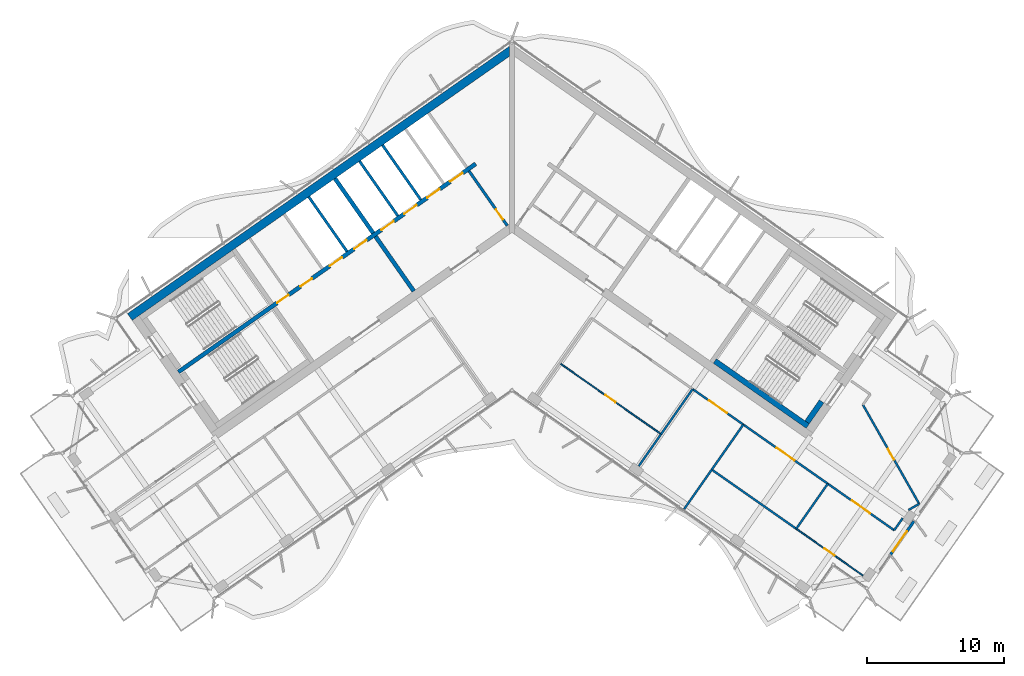
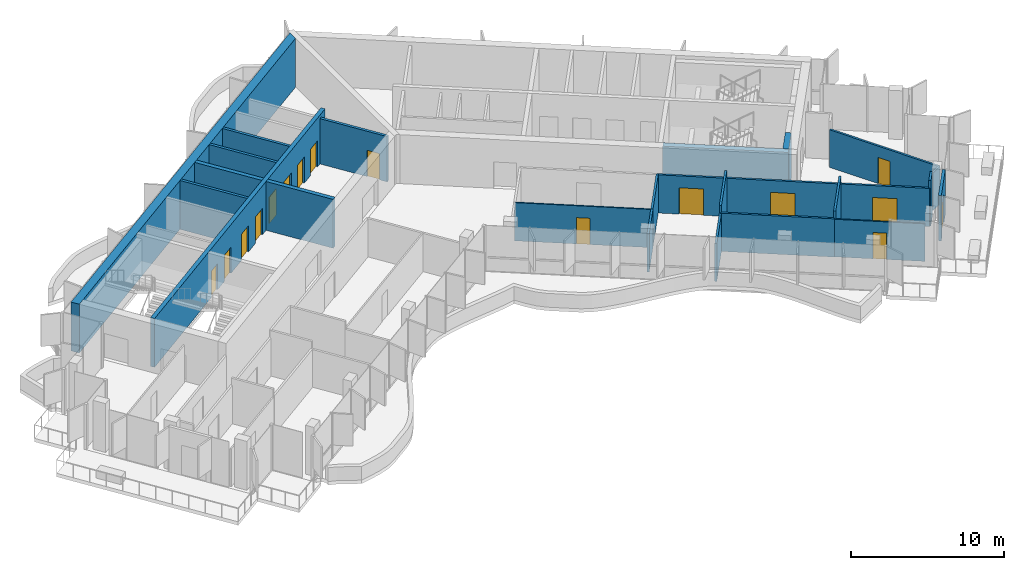
# One storey, part 12 of 21: 25 walls, 16 doors, 16 openings.
"""IFC4 building model written with IfcOpenShell, lengths in metres."""

from ifc_helpers import new_model, si_unit, direction, frame, frame_2d, origin, place, context, subcontext, project, spatial, polyline, rectangle, outline, extrude, material, layer, layer_set, type_object, element, fill, save


model = new_model("IFC4")

# Units and contexts
model_context = context("Model", 3, precision=1e-05, world=origin(), true_north=direction((0.0, 1.0)))
body_context = subcontext(model_context, "Body", "Model", "MODEL_VIEW")
ifc_project = project(units=[si_unit("LENGTHUNIT", "METRE"), si_unit("AREAUNIT", "SQUARE_METRE"), si_unit("VOLUMEUNIT", "CUBIC_METRE"), si_unit("PLANEANGLEUNIT", "RADIAN"), si_unit("MASSUNIT", "GRAM", prefix="KILO")], contexts=[model_context])

# Site, building, storey
site_placement = place(None, origin())
site = spatial("IfcSite", under=ifc_project, at=site_placement, CompositionType="ELEMENT")
building_placement = place(site_placement, origin())
building = spatial("IfcBuilding", under=site, at=building_placement, Name="Tel Ilan Convention Tower", CompositionType="ELEMENT")
storey_placement = place(building_placement, frame((0.0, 0.0, 225.39990234375)))
storey = spatial("IfcBuildingStorey", under=building, at=storey_placement, Name="L52", CompositionType="ELEMENT", Elevation=225.39990234375)

# Wall, opening, door
ifc_material_1 = material(Name="Concrete C30/37", Category="concrete")
ifc_layer_1 = layer(ifc_material_1, 0.199951171875)
ifc_layer_set_1 = layer_set([ifc_layer_1], Name="Core Service Room Wall 200 mm C30/37")
wall_type_1 = type_object("IfcWallType", Name="Core Service Room Wall 200 mm C30/37", PredefinedType="SOLIDWALL", material=ifc_layer_set_1)
wall_1_placement = place(storey_placement, frame((-0.343994140625, -0.729248046875, 0.0), z_axis=(0.0, 0.0, 1.0), x_axis=(-0.573560315113, 0.819163332265, 0.0)))
wall_1 = element("IfcWall", 1, at=wall_1_placement, inside=storey, type_object=wall_type_1, Name="L52 core wall apex-W", PredefinedType="SOLIDWALL", context=body_context, shape_type="SweptSolid", body=[
    extrude(rectangle(XDim=4.849853515625, YDim=0.199951171875, at=frame_2d((2.4248046875, 0.0))), origin(), (0.0, 0.0, 1.0), 3.6201171875),
])
opening_1_placement = place(wall_1_placement, frame((0.550048828125, 0.0, 0.0)))
opening_1 = element("IfcOpeningElement", 2, at=opening_1_placement, cuts=wall_1, Name="Opening CD4102", PredefinedType="OPENING", context=body_context, shape_type="SweptSolid", body=[
    extrude(rectangle(XDim=0.89990234375, YDim=2.10009765625, at=frame_2d((0.449951171875, 1.050048828125))), frame((0.0, 0.10986328125, 0.0), z_axis=(0.0, -1.0, 0.0), x_axis=(1.0, 0.0, 0.0)), (0.0, 0.0, 1.0), 0.219970703125),
])
ifc_material_2 = material(Name="Galvanised Steel Door Leaf", Category="steel")
door_type_1 = type_object("IfcDoorType", Name="Service Room Door 900 x 2100 FD60", OperationType="NOTDEFINED", PredefinedType="DOOR", material=ifc_material_2)
door_1_placement = place(opening_1_placement, origin())
door_1 = element("IfcDoor", 3, at=door_1_placement, inside=storey, type_object=door_type_1, Name="Riser Room door", OperationType="SINGLE_SWING_RIGHT", OverallHeight=2.10009765625, OverallWidth=0.89990234375, PredefinedType="DOOR", context=body_context, shape_type="SweptSolid", body=[
    extrude(rectangle(XDim=0.89990234375, YDim=2.10009765625, at=frame_2d((0.449951171875, 1.050048828125))), frame((0.0, 0.02490234375, 0.0), z_axis=(0.0, -1.0, 0.0), x_axis=(1.0, 0.0, 0.0)), (0.0, 0.0, 1.0), 0.050048828125),
])
fill(opening_1, door_1)

# Walls
ifc_material_3 = material(Name="Concrete C40/50", Category="concrete")
ifc_layer_2 = layer(ifc_material_3, 0.300048828125)
ifc_layer_set_2 = layer_set([ifc_layer_2], Name="Core Shear Wall 300 mm C40/50")
wall_type_2 = type_object("IfcWallType", Name="Core Shear Wall 300 mm C40/50", PredefinedType="SHEAR", material=ifc_layer_set_2)
wall_2_placement = place(storey_placement, frame((-7.142822265625, -5.48974609375, 0.0), z_axis=(0.0, 0.0, 1.0), x_axis=(-0.573617744349, 0.819123118565, 0.0)))
element("IfcWall", 4, at=wall_2_placement, inside=storey, type_object=wall_type_2, Name="L52 core wall W-cross1-1", PredefinedType="SHEAR", context=body_context, shape_type="SweptSolid", body=[
    extrude(outline(polyline([(4.85009765625, 0.14990234375), (0.0, 0.150146484375), (0.0, -0.14990234375), (4.85009765625, -0.150146484375), (4.85009765625, 0.14990234375)])), origin(), (0.0, 0.0, 1.0), 3.900146484375),
])
wall_3_placement = place(storey_placement, frame((-10.096923828125, -1.271240234375, 0.0), z_axis=(0.0, 0.0, 1.0), x_axis=(-0.573560315113, 0.819163332265, 0.0)))
element("IfcWall", 5, at=wall_3_placement, inside=storey, type_object=wall_type_2, Name="L52 core wall W-cross1-2", PredefinedType="SHEAR", context=body_context, shape_type="SweptSolid", body=[
    extrude(outline(polyline([(4.849853515625, -0.14990234375), (4.849853515625, 0.150146484375), (0.0, 0.14990234375), (0.0, -0.150146484375), (4.849853515625, -0.14990234375)])), origin(), (0.0, 0.0, 1.0), 3.900146484375),
])

# Wall, openings, doors
wall_4_placement = place(storey_placement, frame((-2.638427734375, 3.76806640625, 0.0), z_axis=(0.0, 0.0, 1.0), x_axis=(-0.819155014212, -0.573572194837, 0.0)))
wall_4 = element("IfcWall", 6, at=wall_4_placement, inside=storey, type_object=wall_type_2, Name="L52 core wall W-spine", PredefinedType="SHEAR", context=body_context, shape_type="SweptSolid", body=[
    extrude(outline(polyline([(26.39990234375, 0.150146484375), (0.0, 0.14990234375), (0.0, -0.150146484375), (26.39990234375, -0.14990234375), (26.39990234375, 0.150146484375)])), origin(), (0.0, 0.0, 1.0), 3.900146484375),
])
opening_2_placement = place(wall_4_placement, frame((1.168701171875, 0.0, 0.0)))
opening_2 = element("IfcOpeningElement", 7, at=opening_2_placement, cuts=wall_4, Name="Opening LD4104", PredefinedType="OPENING", context=body_context, shape_type="SweptSolid", body=[
    extrude(rectangle(XDim=1.10009765625, YDim=2.10009765625, at=frame_2d((0.550048828125, 1.050048828125))), frame((0.0, 0.159912109375, 0.0), z_axis=(0.0, -1.0, 0.0), x_axis=(1.0, 0.0, 0.0)), (0.0, 0.0, 1.0), 0.320068359375),
])
opening_3_placement = place(wall_4_placement, frame((3.206298828125, 0.0, 0.0)))
opening_3 = element("IfcOpeningElement", 8, at=opening_3_placement, cuts=wall_4, Name="Opening LD4105", PredefinedType="OPENING", context=body_context, shape_type="SweptSolid", body=[
    extrude(rectangle(XDim=1.10009765625, YDim=2.10009765625, at=frame_2d((0.550048828125, 1.050048828125))), frame((0.0, 0.159912109375, 0.0), z_axis=(0.0, -1.0, 0.0), x_axis=(1.0, 0.0, 0.0)), (0.0, 0.0, 1.0), 0.320068359375),
])
opening_4_placement = place(wall_4_placement, frame((5.24365234375, 0.0, 0.0)))
opening_4 = element("IfcOpeningElement", 9, at=opening_4_placement, cuts=wall_4, Name="Opening LD4106", PredefinedType="OPENING", context=body_context, shape_type="SweptSolid", body=[
    extrude(rectangle(XDim=1.10009765625, YDim=2.10009765625, at=frame_2d((0.550048828125, 1.050048828125))), frame((0.0, 0.159912109375, 0.0), z_axis=(0.0, -1.0, 0.0), x_axis=(1.0, 0.0, 0.0)), (0.0, 0.0, 1.0), 0.320068359375),
])
opening_5_placement = place(wall_4_placement, frame((7.28125, 0.0, 0.0)))
opening_5 = element("IfcOpeningElement", 10, at=opening_5_placement, cuts=wall_4, Name="Opening LD4107", PredefinedType="OPENING", context=body_context, shape_type="SweptSolid", body=[
    extrude(rectangle(XDim=1.10009765625, YDim=2.10009765625, at=frame_2d((0.550048828125, 1.050048828125))), frame((0.0, 0.159912109375, 0.0), z_axis=(0.0, -1.0, 0.0), x_axis=(1.0, 0.0, 0.0)), (0.0, 0.0, 1.0), 0.320068359375),
])
opening_6_placement = place(wall_4_placement, frame((9.6875, 0.0, 0.0)))
opening_6 = element("IfcOpeningElement", 11, at=opening_6_placement, cuts=wall_4, Name="Opening LD4108", PredefinedType="OPENING", context=body_context, shape_type="SweptSolid", body=[
    extrude(rectangle(XDim=1.10009765625, YDim=2.10009765625, at=frame_2d((0.550048828125, 1.050048828125))), frame((0.0, 0.159912109375, 0.0), z_axis=(0.0, -1.0, 0.0), x_axis=(1.0, 0.0, 0.0)), (0.0, 0.0, 1.0), 0.320068359375),
])
opening_7_placement = place(wall_4_placement, frame((11.862548828125, 0.0, 0.0)))
opening_7 = element("IfcOpeningElement", 12, at=opening_7_placement, cuts=wall_4, Name="Opening LD4109", PredefinedType="OPENING", context=body_context, shape_type="SweptSolid", body=[
    extrude(rectangle(XDim=1.10009765625, YDim=2.10009765625, at=frame_2d((0.550048828125, 1.050048828125))), frame((0.0, 0.159912109375, 0.0), z_axis=(0.0, -1.0, 0.0), x_axis=(1.0, 0.0, 0.0)), (0.0, 0.0, 1.0), 0.320068359375),
])
opening_8_placement = place(wall_4_placement, frame((14.552490234375, 0.0, 0.0)))
opening_8 = element("IfcOpeningElement", 13, at=opening_8_placement, cuts=wall_4, Name="Opening CD4109", PredefinedType="OPENING", context=body_context, shape_type="SweptSolid", body=[
    extrude(rectangle(XDim=1.0, YDim=2.10009765625, at=frame_2d((0.5, 1.050048828125))), frame((0.0, 0.159912109375, 0.0), z_axis=(0.0, -1.0, 0.0), x_axis=(1.0, 0.0, 0.0)), (0.0, 0.0, 1.0), 0.320068359375),
])
opening_9_placement = place(wall_4_placement, frame((16.62744140625, 0.0, 0.0)))
opening_9 = element("IfcOpeningElement", 14, at=opening_9_placement, cuts=wall_4, Name="Opening CD4110", PredefinedType="OPENING", context=body_context, shape_type="SweptSolid", body=[
    extrude(rectangle(XDim=1.0, YDim=2.10009765625, at=frame_2d((0.5, 1.050048828125))), frame((0.0, 0.159912109375, 0.0), z_axis=(0.0, -1.0, 0.0), x_axis=(1.0, 0.0, 0.0)), (0.0, 0.0, 1.0), 0.320068359375),
])
ifc_material_4 = material(Name="Stainless Steel Sliding Door Leaf", Category="steel")
door_type_2 = type_object("IfcDoorType", Name="Lift Landing Door 1100 x 2100 FD120", OperationType="NOTDEFINED", PredefinedType="DOOR", material=ifc_material_4)
door_2_placement = place(opening_2_placement, origin())
door_2 = element("IfcDoor", 15, at=door_2_placement, inside=storey, type_object=door_type_2, Name="Lift HR1 landing door", OperationType="SLIDING_TO_LEFT", OverallHeight=2.10009765625, OverallWidth=1.10009765625, PredefinedType="DOOR", context=body_context, shape_type="SweptSolid", body=[
    extrude(rectangle(XDim=1.10009765625, YDim=2.10009765625, at=frame_2d((0.550048828125, 1.050048828125))), frame((0.0, 0.02490234375, 0.0), z_axis=(0.0, -1.0, 0.0), x_axis=(1.0, 0.0, 0.0)), (0.0, 0.0, 1.0), 0.050048828125),
])
fill(opening_2, door_2)
door_3_placement = place(opening_3_placement, origin())
door_3 = element("IfcDoor", 16, at=door_3_placement, inside=storey, type_object=door_type_2, Name="Lift HR2 landing door", OperationType="SLIDING_TO_RIGHT", OverallHeight=2.10009765625, OverallWidth=1.10009765625, PredefinedType="DOOR", context=body_context, shape_type="SweptSolid", body=[
    extrude(rectangle(XDim=1.10009765625, YDim=2.10009765625, at=frame_2d((0.550048828125, 1.050048828125))), frame((0.0, 0.02490234375, 0.0), z_axis=(0.0, -1.0, 0.0), x_axis=(1.0, 0.0, 0.0)), (0.0, 0.0, 1.0), 0.050048828125),
])
fill(opening_3, door_3)
door_4_placement = place(opening_4_placement, origin())
door_4 = element("IfcDoor", 17, at=door_4_placement, inside=storey, type_object=door_type_2, Name="Lift HR3 landing door", OperationType="SLIDING_TO_LEFT", OverallHeight=2.10009765625, OverallWidth=1.10009765625, PredefinedType="DOOR", context=body_context, shape_type="SweptSolid", body=[
    extrude(rectangle(XDim=1.10009765625, YDim=2.10009765625, at=frame_2d((0.550048828125, 1.050048828125))), frame((0.0, 0.02490234375, 0.0), z_axis=(0.0, -1.0, 0.0), x_axis=(1.0, 0.0, 0.0)), (0.0, 0.0, 1.0), 0.050048828125),
])
fill(opening_4, door_4)
door_5_placement = place(opening_5_placement, origin())
door_5 = element("IfcDoor", 18, at=door_5_placement, inside=storey, type_object=door_type_2, Name="Lift HR4 landing door", OperationType="SLIDING_TO_RIGHT", OverallHeight=2.10009765625, OverallWidth=1.10009765625, PredefinedType="DOOR", context=body_context, shape_type="SweptSolid", body=[
    extrude(rectangle(XDim=1.10009765625, YDim=2.10009765625, at=frame_2d((0.550048828125, 1.050048828125))), frame((0.0, 0.02490234375, 0.0), z_axis=(0.0, -1.0, 0.0), x_axis=(1.0, 0.0, 0.0)), (0.0, 0.0, 1.0), 0.050048828125),
])
fill(opening_5, door_5)
door_6_placement = place(opening_6_placement, origin())
door_6 = element("IfcDoor", 19, at=door_6_placement, inside=storey, type_object=door_type_2, Name="Lift HR5 landing door", OperationType="SLIDING_TO_LEFT", OverallHeight=2.10009765625, OverallWidth=1.10009765625, PredefinedType="DOOR", context=body_context, shape_type="SweptSolid", body=[
    extrude(rectangle(XDim=1.10009765625, YDim=2.10009765625, at=frame_2d((0.550048828125, 1.050048828125))), frame((0.0, 0.02490234375, 0.0), z_axis=(0.0, -1.0, 0.0), x_axis=(1.0, 0.0, 0.0)), (0.0, 0.0, 1.0), 0.050048828125),
])
fill(opening_6, door_6)
door_7_placement = place(opening_7_placement, origin())
door_7 = element("IfcDoor", 20, at=door_7_placement, inside=storey, type_object=door_type_2, Name="Lift HR6 landing door", OperationType="SLIDING_TO_RIGHT", OverallHeight=2.10009765625, OverallWidth=1.10009765625, PredefinedType="DOOR", context=body_context, shape_type="SweptSolid", body=[
    extrude(rectangle(XDim=1.10009765625, YDim=2.10009765625, at=frame_2d((0.550048828125, 1.050048828125))), frame((0.0, 0.02490234375, 0.0), z_axis=(0.0, -1.0, 0.0), x_axis=(1.0, 0.0, 0.0)), (0.0, 0.0, 1.0), 0.050048828125),
])
fill(opening_7, door_7)
ifc_material_5 = material(Name="Galvanised Steel Door Leaf", Category="steel")
door_type_3 = type_object("IfcDoorType", Name="Service Room Door 1000 x 2100 FD60", OperationType="NOTDEFINED", PredefinedType="DOOR", material=ifc_material_5)
door_8_placement = place(opening_8_placement, origin())
door_8 = element("IfcDoor", 21, at=door_8_placement, inside=storey, type_object=door_type_3, Name="Plant Room door", OperationType="SINGLE_SWING_RIGHT", OverallHeight=2.10009765625, OverallWidth=1.0, PredefinedType="DOOR", context=body_context, shape_type="SweptSolid", body=[
    extrude(rectangle(XDim=1.0, YDim=2.10009765625, at=frame_2d((0.5, 1.050048828125))), frame((0.0, 0.02490234375, 0.0), z_axis=(0.0, -1.0, 0.0), x_axis=(1.0, 0.0, 0.0)), (0.0, 0.0, 1.0), 0.050048828125),
])
fill(opening_8, door_8)
door_9_placement = place(opening_9_placement, origin())
door_9 = element("IfcDoor", 22, at=door_9_placement, inside=storey, type_object=door_type_3, Name="Plant Room door", OperationType="SINGLE_SWING_RIGHT", OverallHeight=2.10009765625, OverallWidth=1.0, PredefinedType="DOOR", context=body_context, shape_type="SweptSolid", body=[
    extrude(rectangle(XDim=1.0, YDim=2.10009765625, at=frame_2d((0.5, 1.050048828125))), frame((0.0, 0.02490234375, 0.0), z_axis=(0.0, -1.0, 0.0), x_axis=(1.0, 0.0, 0.0)), (0.0, 0.0, 1.0), 0.050048828125),
])
fill(opening_9, door_9)

# Wall
ifc_material_6 = material(Name="Concrete C40/50", Category="concrete")
ifc_layer_3 = layer(ifc_material_6, 0.60009765625)
ifc_layer_set_3 = layer_set([ifc_layer_3], Name="Core Shear Wall 600 mm C40/50")
wall_type_3 = type_object("IfcWallType", Name="Core Shear Wall 600 mm C40/50", PredefinedType="SHEAR", material=ifc_layer_set_3)
wall_5_placement = place(storey_placement, frame((-0.02783203125, 12.066162109375, 0.0), z_axis=(0.0, 0.0, 1.0), x_axis=(-0.819151382952, -0.573577380837, 0.0)))
element("IfcWall", 23, at=wall_5_placement, inside=storey, type_object=wall_type_3, Name="L52 core wall W-back", PredefinedType="SHEAR", context=body_context, shape_type="SweptSolid", body=[
    extrude(outline(polyline([(33.89794921875, 0.300048828125), (0.420166015625, 0.300048828125), (0.0, -0.300048828125), (33.898193359375, -0.300048828125), (33.89794921875, 0.300048828125)])), origin(), (0.0, 0.0, 1.0), 3.900146484375),
])

# Wall, opening, door
ifc_material_7 = material(Name="Plasterboard on Steel Studs", Category="steel")
ifc_layer_4 = layer(ifc_material_7, 0.14990234375)
ifc_layer_set_4 = layer_set([ifc_layer_4], Name="Fire-rated Partition 150 EI 60")
wall_type_4 = type_object("IfcWallType", Name="Fire-rated Partition 150 EI 60", PredefinedType="PARTITIONING", material=ifc_layer_set_4)
wall_6_placement = place(storey_placement, frame((16.826416015625, -15.2001953125, 0.0), z_axis=(0.0, 0.0, 1.0), x_axis=(-0.819147870025, 0.573582397772, 0.0)))
wall_6 = element("IfcWall", 24, at=wall_6_placement, inside=storey, type_object=wall_type_4, Name="Partition 002", PredefinedType="PARTITIONING", context=body_context, shape_type="SweptSolid", body=[
    extrude(rectangle(XDim=4.503662109375, YDim=0.14990234375, at=frame_2d((2.251953125, 0.0))), origin(), (0.0, 0.0, 1.0), 3.050048828125),
])
opening_10_placement = place(wall_6_placement, frame((1.451904296875, 0.0, 0.0)))
opening_10 = element("IfcOpeningElement", 25, at=opening_10_placement, cuts=wall_6, Name="Opening L52-011", PredefinedType="OPENING", context=body_context, shape_type="SweptSolid", body=[
    extrude(rectangle(XDim=1.60009765625, YDim=2.10009765625, at=frame_2d((0.800048828125, 1.050048828125))), frame((0.0, 0.0849609375, 0.0), z_axis=(0.0, -1.0, 0.0), x_axis=(1.0, 0.0, 0.0)), (0.0, 0.0, 1.0), 0.169921875),
])
ifc_material_8 = material(Name="Timber Door Leaf in Steel Frame", Category="steel")
door_type_4 = type_object("IfcDoorType", Name="Tenant Suite Entrance Fire Door 1600x2100", OperationType="NOTDEFINED", PredefinedType="DOOR", material=ifc_material_8)
door_10_placement = place(opening_10_placement, origin())
door_10 = element("IfcDoor", 26, at=door_10_placement, inside=storey, type_object=door_type_4, Name="Door L52-011", OperationType="DOUBLE_DOOR_SINGLE_SWING", OverallHeight=2.10009765625, OverallWidth=1.60009765625, PredefinedType="DOOR", context=body_context, shape_type="SweptSolid", body=[
    extrude(rectangle(XDim=1.60009765625, YDim=2.10009765625, at=frame_2d((0.800048828125, 1.050048828125))), frame((0.0, 0.02490234375, 0.0), z_axis=(0.0, -1.0, 0.0), x_axis=(1.0, 0.0, 0.0)), (0.0, 0.0, 1.0), 0.050048828125),
])
fill(opening_10, door_10)

wall_7_placement = place(storey_placement, frame((22.97021484375, -19.502197265625, 0.0), z_axis=(0.0, 0.0, 1.0), x_axis=(-0.819149375276, 0.573580248078, 0.0)))
wall_7 = element("IfcWall", 27, at=wall_7_placement, inside=storey, type_object=wall_type_4, Name="Partition 003", PredefinedType="PARTITIONING", context=body_context, shape_type="SweptSolid", body=[
    extrude(rectangle(XDim=7.504150390625, YDim=0.14990234375, at=frame_2d((3.751953125, 0.0))), origin(), (0.0, 0.0, 1.0), 3.050048828125),
])
opening_11_placement = place(wall_7_placement, frame((2.951904296875, 0.0, 0.0)))
opening_11 = element("IfcOpeningElement", 28, at=opening_11_placement, cuts=wall_7, Name="Opening L52-012", PredefinedType="OPENING", context=body_context, shape_type="SweptSolid", body=[
    extrude(rectangle(XDim=1.60009765625, YDim=2.10009765625, at=frame_2d((0.800048828125, 1.050048828125))), frame((0.0, 0.0849609375, 0.0), z_axis=(0.0, -1.0, 0.0), x_axis=(1.0, 0.0, 0.0)), (0.0, 0.0, 1.0), 0.169921875),
])
door_11_placement = place(opening_11_placement, origin())
door_11 = element("IfcDoor", 29, at=door_11_placement, inside=storey, type_object=door_type_4, Name="Door L52-012", OperationType="DOUBLE_DOOR_SINGLE_SWING", OverallHeight=2.10009765625, OverallWidth=1.60009765625, PredefinedType="DOOR", context=body_context, shape_type="SweptSolid", body=[
    extrude(rectangle(XDim=1.60009765625, YDim=2.10009765625, at=frame_2d((0.800048828125, 1.050048828125))), frame((0.0, 0.02490234375, 0.0), z_axis=(0.0, -1.0, 0.0), x_axis=(1.0, 0.0, 0.0)), (0.0, 0.0, 1.0), 0.050048828125),
])
fill(opening_11, door_11)

wall_8_placement = place(storey_placement, frame((27.801513671875, -22.885009765625, 0.0), z_axis=(0.0, 0.0, 1.0), x_axis=(-0.819156123335, 0.573570610825, 0.0)))
wall_8 = element("IfcWall", 30, at=wall_8_placement, inside=storey, type_object=wall_type_4, Name="Partition 004", PredefinedType="PARTITIONING", context=body_context, shape_type="SweptSolid", body=[
    extrude(rectangle(XDim=5.902099609375, YDim=0.14990234375, at=frame_2d((2.951171875, 0.0))), origin(), (0.0, 0.0, 1.0), 3.050048828125),
])
opening_12_placement = place(wall_8_placement, frame((2.15087890625, 0.0, 0.0)))
opening_12 = element("IfcOpeningElement", 31, at=opening_12_placement, cuts=wall_8, Name="Opening L52-013", PredefinedType="OPENING", context=body_context, shape_type="SweptSolid", body=[
    extrude(rectangle(XDim=1.60009765625, YDim=2.10009765625, at=frame_2d((0.800048828125, 1.050048828125))), frame((0.0, 0.0849609375, 0.0), z_axis=(0.0, -1.0, 0.0), x_axis=(1.0, 0.0, 0.0)), (0.0, 0.0, 1.0), 0.169921875),
])
door_12_placement = place(opening_12_placement, origin())
door_12 = element("IfcDoor", 32, at=door_12_placement, inside=storey, type_object=door_type_4, Name="Door L52-013", OperationType="DOUBLE_DOOR_SINGLE_SWING", OverallHeight=2.10009765625, OverallWidth=1.60009765625, PredefinedType="DOOR", context=body_context, shape_type="SweptSolid", body=[
    extrude(rectangle(XDim=1.60009765625, YDim=2.10009765625, at=frame_2d((0.800048828125, 1.050048828125))), frame((0.0, 0.02490234375, 0.0), z_axis=(0.0, -1.0, 0.0), x_axis=(1.0, 0.0, 0.0)), (0.0, 0.0, 1.0), 0.050048828125),
])
fill(opening_12, door_12)

# Walls
wall_9_placement = place(storey_placement, frame((28.418212890625, -22.00439453125, 0.0), z_axis=(0.0, 0.0, 1.0), x_axis=(-0.573629982879, -0.819114547998, 0.0)))
element("IfcWall", 33, at=wall_9_placement, inside=storey, type_object=wall_type_4, Name="Partition 005", PredefinedType="PARTITIONING", context=body_context, shape_type="SweptSolid", body=[
    extrude(rectangle(XDim=1.0751953125, YDim=0.14990234375, at=frame_2d((0.53759765625, 0.0))), origin(), (0.0, 0.0, 1.0), 3.6201171875),
])
wall_10_placement = place(storey_placement, frame((28.833984375, -21.41064453125, 0.0), z_axis=(0.0, 0.0, 1.0), x_axis=(0.869525386045, 0.493888249529, 0.0)))
element("IfcWall", 34, at=wall_10_placement, inside=storey, type_object=wall_type_4, Name="Partition 012", PredefinedType="PARTITIONING", context=body_context, shape_type="SweptSolid", body=[
    extrude(rectangle(XDim=0.900146484375, YDim=0.14990234375, at=frame_2d((0.4501953125, 0.0))), origin(), (0.0, 0.0, 1.0), 3.0),
])

# Wall, opening, door
wall_11_placement = place(storey_placement, frame((29.61669921875, -20.966064453125, 0.0), z_axis=(0.0, 0.0, 1.0), x_axis=(-0.493827705015, 0.86955977239, 0.0)))
wall_11 = element("IfcWall", 35, at=wall_11_placement, inside=storey, type_object=wall_type_4, Name="Partition 013", PredefinedType="PARTITIONING", context=body_context, shape_type="SweptSolid", body=[
    extrude(rectangle(XDim=8.287841796875, YDim=0.14990234375, at=frame_2d((4.14404296875, 0.0))), origin(), (0.0, 0.0, 1.0), 3.0),
])
opening_13_placement = place(wall_11_placement, frame((3.69384765625, 0.0, 0.0)))
opening_13 = element("IfcOpeningElement", 36, at=opening_13_placement, cuts=wall_11, Name="Opening L52-015", PredefinedType="OPENING", context=body_context, shape_type="SweptSolid", body=[
    extrude(rectangle(XDim=0.89990234375, YDim=2.10009765625, at=frame_2d((0.449951171875, 1.050048828125))), frame((0.0, 0.0849609375, 0.0), z_axis=(0.0, -1.0, 0.0), x_axis=(1.0, 0.0, 0.0)), (0.0, 0.0, 1.0), 0.169921875),
])
ifc_material_9 = material(Name="Timber Door Leaf in Steel Frame", Category="steel")
door_type_5 = type_object("IfcDoorType", Name="Room Fire Door 900x2100", OperationType="NOTDEFINED", PredefinedType="DOOR", material=ifc_material_9)
door_13_placement = place(opening_13_placement, origin())
door_13 = element("IfcDoor", 37, at=door_13_placement, inside=storey, type_object=door_type_5, Name="Door L52-015", OperationType="SINGLE_SWING_RIGHT", OverallHeight=2.10009765625, OverallWidth=0.89990234375, PredefinedType="DOOR", context=body_context, shape_type="SweptSolid", body=[
    extrude(rectangle(XDim=0.89990234375, YDim=2.10009765625, at=frame_2d((0.449951171875, 1.050048828125))), frame((0.0, 0.02490234375, 0.0), z_axis=(0.0, -1.0, 0.0), x_axis=(1.0, 0.0, 0.0)), (0.0, 0.0, 1.0), 0.050048828125),
])
fill(opening_13, door_13)

# Walls
wall_12_placement = place(storey_placement, frame((10.84375, -15.8955078125, 0.0), z_axis=(0.0, 0.0, 1.0), x_axis=(-0.573555012677, -0.819167044889, 0.0)))
element("IfcWall", 38, at=wall_12_placement, inside=storey, type_object=wall_type_4, Name="Partition 017", PredefinedType="PARTITIONING", context=body_context, shape_type="SweptSolid", body=[
    extrude(rectangle(XDim=2.828857421875, YDim=0.14990234375, at=frame_2d((1.41455078125, 0.0))), origin(), (0.0, 0.0, 1.0), 3.050048828125),
])
wall_13_placement = place(storey_placement, frame((13.138671875, -12.617919921875, 0.0), z_axis=(0.0, 0.0, 1.0), x_axis=(-0.573556557423, -0.819165963305, 0.0)))
element("IfcWall", 39, at=wall_13_placement, inside=storey, type_object=wall_type_4, Name="Partition 019", PredefinedType="PARTITIONING", context=body_context, shape_type="SweptSolid", body=[
    extrude(rectangle(XDim=4.0, YDim=0.14990234375, at=frame_2d((2.0, 0.0))), origin(), (0.0, 0.0, 1.0), 3.050048828125),
])
wall_14_placement = place(storey_placement, frame((16.824951171875, -15.19921875, 0.0), z_axis=(0.0, 0.0, 1.0), x_axis=(-0.573589265117, -0.819143061341, 0.0)))
element("IfcWall", 40, at=wall_14_placement, inside=storey, type_object=wall_type_4, Name="Partition 021", PredefinedType="PARTITIONING", context=body_context, shape_type="SweptSolid", body=[
    extrude(rectangle(XDim=4.001953125, YDim=0.14990234375, at=frame_2d((2.0009765625, 0.0))), origin(), (0.0, 0.0, 1.0), 3.6201171875),
])
wall_15_placement = place(storey_placement, frame((14.53125, -18.474853515625, 0.0), z_axis=(0.0, 0.0, 1.0), x_axis=(-0.573560622794, -0.819163116834, 0.0)))
element("IfcWall", 41, at=wall_15_placement, inside=storey, type_object=wall_type_4, Name="Partition 022", PredefinedType="PARTITIONING", context=body_context, shape_type="SweptSolid", body=[
    extrude(rectangle(XDim=3.5009765625, YDim=0.14990234375, at=frame_2d((1.75048828125, 0.0))), origin(), (0.0, 0.0, 1.0), 3.0),
])
wall_16_placement = place(storey_placement, frame((20.67431640625, -22.777587890625, 0.0), z_axis=(0.0, 0.0, 1.0), x_axis=(-0.819147803225, 0.57358249317, 0.0)))
element("IfcWall", 42, at=wall_16_placement, inside=storey, type_object=wall_type_4, Name="Partition 023", PredefinedType="PARTITIONING", context=body_context, shape_type="SweptSolid", body=[
    extrude(rectangle(XDim=7.500244140625, YDim=0.14990234375, at=frame_2d((3.75, 0.0))), origin(), (0.0, 0.0, 1.0), 3.050048828125),
])
wall_17_placement = place(storey_placement, frame((22.968505859375, -19.5009765625, 0.0), z_axis=(0.0, 0.0, 1.0), x_axis=(-0.573556557423, -0.819165963305, 0.0)))
element("IfcWall", 43, at=wall_17_placement, inside=storey, type_object=wall_type_4, Name="Partition 024", PredefinedType="PARTITIONING", context=body_context, shape_type="SweptSolid", body=[
    extrude(rectangle(XDim=4.0, YDim=0.14990234375, at=frame_2d((2.0, 0.0))), origin(), (0.0, 0.0, 1.0), 3.6201171875),
])
ifc_material_10 = material(Name="Concrete C30/37", Category="concrete")
ifc_layer_5 = layer(ifc_material_10, 0.199951171875)
ifc_layer_set_5 = layer_set([ifc_layer_5], Name="Lift Shaft Wall 200 mm C30/37")
wall_type_5 = type_object("IfcWallType", Name="Lift Shaft Wall 200 mm C30/37", PredefinedType="SOLIDWALL", material=ifc_layer_set_5)
wall_18_placement = place(storey_placement, frame((-6.635986328125, 1.152099609375, 0.0), z_axis=(0.0, 0.0, 1.0), x_axis=(-0.573560315113, 0.819163332265, 0.0)))
element("IfcWall", 44, at=wall_18_placement, inside=storey, type_object=wall_type_5, Name="L52 core wall bank-W1-p1", PredefinedType="SOLIDWALL", context=body_context, shape_type="SweptSolid", body=[
    extrude(rectangle(XDim=4.849853515625, YDim=0.199951171875, at=frame_2d((2.4248046875, 0.0))), origin(), (0.0, 0.0, 1.0), 3.900146484375),
])
wall_19_placement = place(storey_placement, frame((-8.304931640625, -0.0166015625, 0.0), z_axis=(0.0, 0.0, 1.0), x_axis=(-0.573594092424, 0.81913968109, 0.0)))
element("IfcWall", 45, at=wall_19_placement, inside=storey, type_object=wall_type_5, Name="L52 core wall bank-W1-p2", PredefinedType="SOLIDWALL", context=body_context, shape_type="SweptSolid", body=[
    extrude(rectangle(XDim=4.85009765625, YDim=0.199951171875, at=frame_2d((2.425048828125, 0.0))), origin(), (0.0, 0.0, 1.0), 3.900146484375),
])
wall_20_placement = place(storey_placement, frame((-12.00146484375, -2.604736328125, 0.0), z_axis=(0.0, 0.0, 1.0), x_axis=(-0.573560315113, 0.819163332265, 0.0)))
element("IfcWall", 46, at=wall_20_placement, inside=storey, type_object=wall_type_5, Name="L52 core wall bank-W2-p0", PredefinedType="SOLIDWALL", context=body_context, shape_type="SweptSolid", body=[
    extrude(rectangle(XDim=4.849853515625, YDim=0.199951171875, at=frame_2d((2.4248046875, 0.0))), origin(), (0.0, 0.0, 1.0), 3.900146484375),
])

# Wall, opening, door
ifc_material_11 = material(Name="Plasterboard on Steel Studs", Category="steel")
ifc_layer_6 = layer(ifc_material_11, 0.10009765625)
ifc_layer_set_6 = layer_set([ifc_layer_6], Name="Plasterboard Partition 100")
wall_type_6 = type_object("IfcWallType", Name="Plasterboard Partition 100", PredefinedType="PARTITIONING", material=ifc_layer_set_6)
wall_21_placement = place(storey_placement, frame((10.84375, -15.8955078125, 0.0), z_axis=(0.0, 0.0, 1.0), x_axis=(-0.819141427692, 0.573591598124, 0.0)))
wall_21 = element("IfcWall", 47, at=wall_21_placement, inside=storey, type_object=wall_type_6, Name="Partition 016", PredefinedType="PARTITIONING", context=body_context, shape_type="SweptSolid", body=[
    extrude(rectangle(XDim=9.0, YDim=0.10009765625, at=frame_2d((4.5, 0.0))), origin(), (0.0, 0.0, 1.0), 3.050048828125),
])
opening_14_placement = place(wall_21_placement, frame((4.050048828125, 0.0, 0.0)))
opening_14 = element("IfcOpeningElement", 48, at=opening_14_placement, cuts=wall_21, Name="Opening L52-010", PredefinedType="OPENING", context=body_context, shape_type="SweptSolid", body=[
    extrude(rectangle(XDim=0.89990234375, YDim=2.10009765625, at=frame_2d((0.449951171875, 1.050048828125))), frame((0.0, 0.06005859375, 0.0), z_axis=(0.0, -1.0, 0.0), x_axis=(1.0, 0.0, 0.0)), (0.0, 0.0, 1.0), 0.1201171875),
])
ifc_material_12 = material(Name="Timber Door Leaf in Steel Frame", Category="steel")
door_type_6 = type_object("IfcDoorType", Name="Room Timber Door 900x2100", OperationType="NOTDEFINED", PredefinedType="DOOR", material=ifc_material_12)
door_14_placement = place(opening_14_placement, origin())
door_14 = element("IfcDoor", 49, at=door_14_placement, inside=storey, type_object=door_type_6, Name="Door L52-010", OperationType="SINGLE_SWING_LEFT", OverallHeight=2.10009765625, OverallWidth=0.89990234375, PredefinedType="DOOR", context=body_context, shape_type="SweptSolid", body=[
    extrude(rectangle(XDim=0.89990234375, YDim=2.10009765625, at=frame_2d((0.449951171875, 1.050048828125))), frame((0.0, 0.02490234375, 0.0), z_axis=(0.0, -1.0, 0.0), x_axis=(1.0, 0.0, 0.0)), (0.0, 0.0, 1.0), 0.050048828125),
])
fill(opening_14, door_14)

wall_22_placement = place(storey_placement, frame((25.53125, -26.1796875, 0.0), z_axis=(0.0, 0.0, 1.0), x_axis=(-0.819152612748, 0.573575624507, 0.0)))
wall_22 = element("IfcWall", 50, at=wall_22_placement, inside=storey, type_object=wall_type_6, Name="Partition 025", PredefinedType="PARTITIONING", context=body_context, shape_type="SweptSolid", body=[
    extrude(rectangle(XDim=5.93017578125, YDim=0.10009765625, at=frame_2d((2.965087890625, 0.0))), origin(), (0.0, 0.0, 1.0), 3.0),
])
opening_15_placement = place(wall_22_placement, frame((2.514892578125, 0.0, 0.0)))
opening_15 = element("IfcOpeningElement", 51, at=opening_15_placement, cuts=wall_22, Name="Opening L52-014", PredefinedType="OPENING", context=body_context, shape_type="SweptSolid", body=[
    extrude(rectangle(XDim=0.89990234375, YDim=2.10009765625, at=frame_2d((0.449951171875, 1.050048828125))), frame((0.0, 0.06005859375, 0.0), z_axis=(0.0, -1.0, 0.0), x_axis=(1.0, 0.0, 0.0)), (0.0, 0.0, 1.0), 0.1201171875),
])
door_15_placement = place(opening_15_placement, origin())
door_15 = element("IfcDoor", 52, at=door_15_placement, inside=storey, type_object=door_type_6, Name="Door L52-014", OperationType="SINGLE_SWING_RIGHT", OverallHeight=2.10009765625, OverallWidth=0.89990234375, PredefinedType="DOOR", context=body_context, shape_type="SweptSolid", body=[
    extrude(rectangle(XDim=0.89990234375, YDim=2.10009765625, at=frame_2d((0.449951171875, 1.050048828125))), frame((0.0, 0.02490234375, 0.0), z_axis=(0.0, -1.0, 0.0), x_axis=(1.0, 0.0, 0.0)), (0.0, 0.0, 1.0), 0.050048828125),
])
fill(opening_15, door_15)

# Walls
ifc_material_13 = material(Name="Concrete C30/37", Category="concrete")
ifc_layer_7 = layer(ifc_material_13, 0.39990234375)
ifc_layer_set_7 = layer_set([ifc_layer_7], Name="Stair and Shaft Lining Wall 400 mm C30/37")
wall_type_7 = type_object("IfcWallType", Name="Stair and Shaft Lining Wall 400 mm C30/37", PredefinedType="SOLIDWALL", material=ifc_layer_set_7)
wall_23_placement = place(storey_placement, frame((14.7529296875, -10.57421875, 0.0), z_axis=(0.0, 0.0, 1.0), x_axis=(0.819158229677, -0.573567602601, 0.0)))
element("IfcWall", 53, at=wall_23_placement, inside=storey, type_object=wall_type_7, Name="L52 core wall lining-S4-t0", PredefinedType="SOLIDWALL", context=body_context, shape_type="SweptSolid", body=[
    extrude(rectangle(XDim=8.25, YDim=0.39990234375, at=frame_2d((4.125, 0.0))), origin(), (0.0, 0.0, 1.0), 3.6201171875),
])
wall_24_placement = place(storey_placement, frame((21.4619140625, -15.027587890625, 0.0), z_axis=(0.0, 0.0, 1.0), x_axis=(0.573559770908, 0.819163713305, 0.0)))
element("IfcWall", 54, at=wall_24_placement, inside=storey, type_object=wall_type_7, Name="L52 core wall lining-S4-u1-0", PredefinedType="SOLIDWALL", context=body_context, shape_type="SweptSolid", body=[
    extrude(rectangle(XDim=1.849853515625, YDim=0.39990234375, at=frame_2d((0.9248046875, 0.0))), origin(), (0.0, 0.0, 1.0), 3.6201171875),
])

# Wall, opening, door
ifc_material_14 = material(Name="Aluminium composite cladding, bronze anodised on steel studs", Category="steel")
ifc_layer_8 = layer(ifc_material_14, 0.199951171875)
ifc_layer_set_8 = layer_set([ifc_layer_8], Name="TERRACE DOOR BAY WALL 200")
wall_type_8 = type_object("IfcWallType", Name="TERRACE DOOR BAY WALL 200", PredefinedType="SOLIDWALL", material=ifc_layer_set_8)
wall_25_placement = place(storey_placement, frame((27.527587890625, -24.6708984375, 0.0), z_axis=(0.0, 0.0, 1.0), x_axis=(0.57360481557, 0.819132172213, 0.0)))
wall_25 = element("IfcWall", 55, at=wall_25_placement, inside=storey, type_object=wall_type_8, Name="Terrace door bay", PredefinedType="SOLIDWALL", context=body_context, shape_type="SweptSolid", body=[
    extrude(rectangle(XDim=2.989990234375, YDim=0.199951171875, at=frame_2d((1.4951171875, 0.0))), origin(), (0.0, 0.0, 1.0), 3.6201171875),
])
opening_16_placement = place(wall_25_placement, frame((0.294921875, 0.0, 0.0)))
opening_16 = element("IfcOpeningElement", 56, at=opening_16_placement, cuts=wall_25, Name="Opening T52.01", PredefinedType="OPENING", context=body_context, shape_type="SweptSolid", body=[
    extrude(rectangle(XDim=1.800048828125, YDim=2.39990234375, at=frame_2d((0.89990234375, 1.199951171875))), frame((0.0, 0.10986328125, 0.0), z_axis=(0.0, -1.0, 0.0), x_axis=(1.0, 0.0, 0.0)), (0.0, 0.0, 1.0), 0.219970703125),
])
ifc_material_15 = material(Name="Aluminium framed glazed door, bronze anodised", Category="aluminium")
door_type_7 = type_object("IfcDoorType", Name="TERRACE DOUBLE DOOR 1800x2400", OperationType="NOTDEFINED", PredefinedType="DOOR", material=ifc_material_15)
door_16_placement = place(opening_16_placement, origin())
door_16 = element("IfcDoor", 57, at=door_16_placement, inside=storey, type_object=door_type_7, Name="Terrace door", OperationType="DOUBLE_DOOR_DOUBLE_SWING", OverallHeight=2.39990234375, OverallWidth=1.800048828125, PredefinedType="DOOR", context=body_context, shape_type="SweptSolid", body=[
    extrude(rectangle(XDim=1.800048828125, YDim=2.39990234375, at=frame_2d((0.89990234375, 1.199951171875))), frame((0.0, 0.02490234375, 0.0), z_axis=(0.0, -1.0, 0.0), x_axis=(1.0, 0.0, 0.0)), (0.0, 0.0, 1.0), 0.050048828125),
])
fill(opening_16, door_16)

save(model, "model.ifc")
